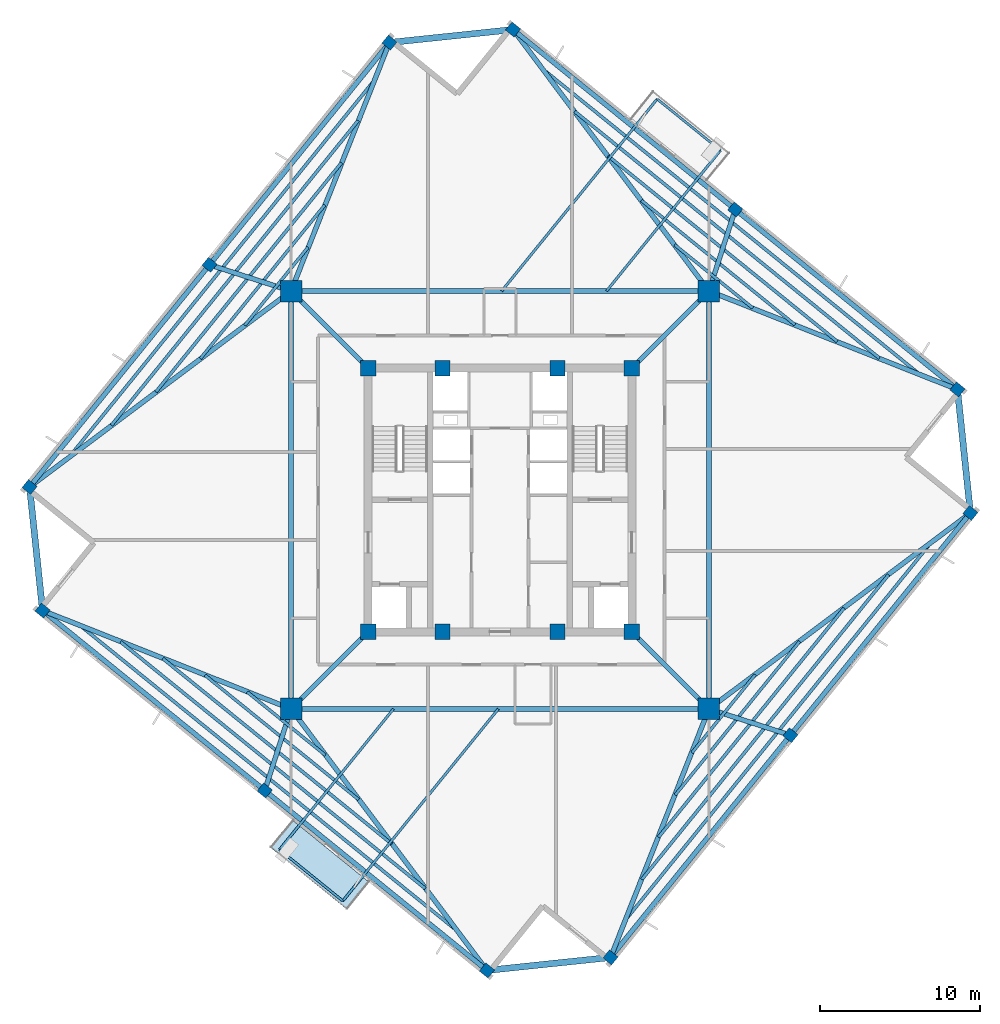
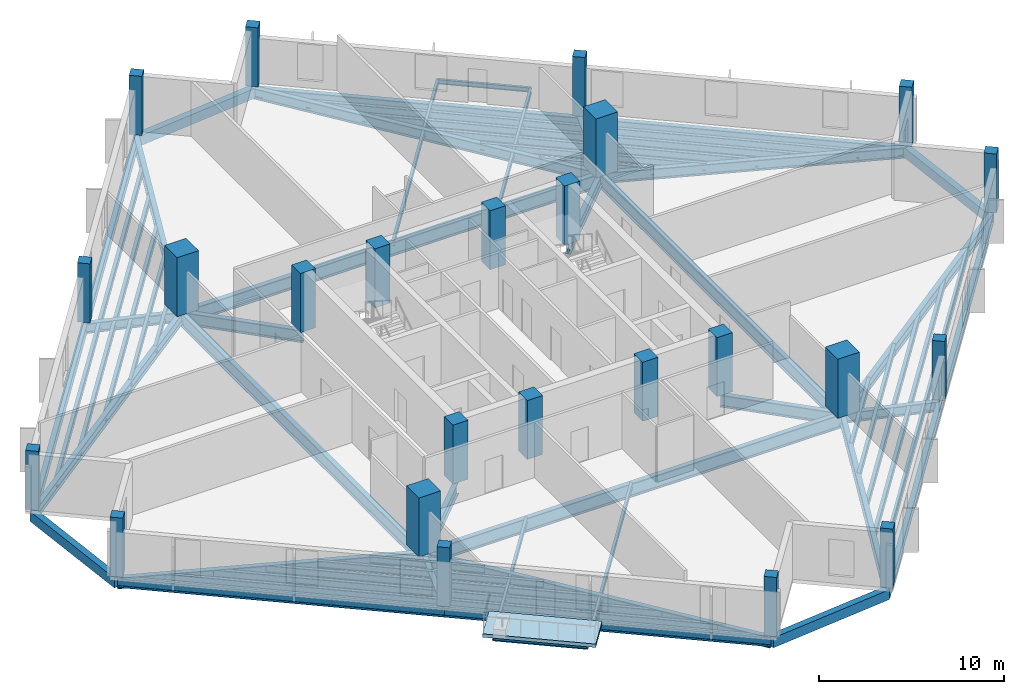
# One storey, part 1 of 10: 58 beams, 24 columns, 1 slab.
"""IFC4 building model written with IfcOpenShell, lengths in metres."""

from ifc_helpers import new_model, si_unit, direction, frame, origin, origin_2d, place, context, subcontext, project, spatial, polyline, rectangle, i_section, outline, extrude, source, transform, mapped, material, layer, layer_set, material_profile, profile_set, type_object, element, save


model = new_model("IFC4")

# Units and contexts
model_context = context("Model", 3, precision=1e-05, world=origin(), true_north=direction((0.0, 1.0)))
body_context = subcontext(model_context, "Body", "Model", "MODEL_VIEW")
ifc_project = project(units=[si_unit("LENGTHUNIT", "METRE"), si_unit("AREAUNIT", "SQUARE_METRE"), si_unit("VOLUMEUNIT", "CUBIC_METRE"), si_unit("PLANEANGLEUNIT", "RADIAN"), si_unit("MASSUNIT", "GRAM", prefix="KILO"), si_unit("THERMODYNAMICTEMPERATUREUNIT", "KELVIN")], contexts=[model_context])

# Site, building, storey
site_placement = place(None, origin())
site = spatial("IfcSite", under=ifc_project, at=site_placement, CompositionType="ELEMENT")
building_placement = place(site_placement, origin())
building = spatial("IfcBuilding", under=site, at=building_placement, Name="Kosmvard Interchange Tower", CompositionType="ELEMENT")
storey_placement = place(building_placement, frame((0.0, 0.0, 240.699951171875)))
storey = spatial("IfcBuildingStorey", under=building, at=storey_placement, Name="L58", CompositionType="ELEMENT", Elevation=240.699951171875)

# Columns
ifc_material_1 = material(Name="Concrete C60/75", Category="concrete")
ifc_material_profile_1 = material_profile(ifc_material_1, rectangle(XDim=0.949951171875, YDim=0.949951171875, at=origin_2d()), Name="CP 950x950")
ifc_profile_set_1 = profile_set([ifc_material_profile_1], Name="Concrete C60/75")
column_type_1 = type_object("IfcColumnType", Name="Core Boundary Pilaster 950x950 C60/75", PredefinedType="PILASTER", material=ifc_profile_set_1)
shared_shape_1 = source(origin(), body_context, "Body", "SweptSolid", [
    extrude(rectangle(XDim=0.949951171875, YDim=0.949951171875, at=origin_2d()), origin(), (0.0, 0.0, 1.0), 3.900146484375),
])
for number, where, z_axis, x_axis, name in (
    (1, (-8.25, -8.25, 0.0), (0.0, 0.0, 1.0), (1.0, 0.0, 0.0), "L58 Core Pilaster CP1"),
    (2, (8.25, -8.25, 0.0), (0.0, 0.0, 1.0), (1.0, 0.0, 0.0), "L58 Core Pilaster CP2"),
    (3, (8.25, 8.25, 0.0), (0.0, 0.0, 1.0), (1.0, 0.0, 0.0), "L58 Core Pilaster CP3"),
    (4, (-8.25, 8.25, 0.0), (0.0, 0.0, 1.0), (1.0, 0.0, 0.0), "L58 Core Pilaster CP4"),
    (5, (-3.60009765625, -8.25, 0.0), (0.0, 0.0, 1.0), (1.0, 0.0, 0.0), "L58 Core Pilaster CP5"),
    (6, (3.60009765625, -8.25, 0.0), (0.0, 0.0, 1.0), (1.0, 0.0, 0.0), "L58 Core Pilaster CP6"),
    (7, (-3.60009765625, 8.25, 0.0), (0.0, 0.0, 1.0), (1.0, 0.0, 0.0), "L58 Core Pilaster CP7"),
    (8, (3.60009765625, 8.25, 0.0), (0.0, 0.0, 1.0), (1.0, 0.0, 0.0), "L58 Core Pilaster CP8"),
):
    element("IfcColumn", number, at=place(storey_placement, frame(where, z_axis=z_axis, x_axis=x_axis)), inside=storey, type_object=column_type_1, Name=name, PredefinedType="PILASTER", context=body_context, shape_type="MappedRepresentation", body=[
        mapped(shared_shape_1, transform((0.0, 0.0, 0.0), scale=1.0)),
    ])
ifc_material_profile_2 = material_profile(ifc_material_1, rectangle(XDim=1.35009765625, YDim=1.35009765625, at=origin_2d()), Name="MC 1350x1350")
ifc_profile_set_2 = profile_set([ifc_material_profile_2], Name="Concrete C60/75")
column_type_2 = type_object("IfcColumnType", Name="Composite Mega-Column 1350x1350 C60/75", PredefinedType="COLUMN", material=ifc_profile_set_2)
shared_shape_2 = source(origin(), body_context, "Body", "SweptSolid", [
    extrude(rectangle(XDim=1.35009765625, YDim=1.35009765625, at=origin_2d()), origin(), (0.0, 0.0, 1.0), 3.900146484375),
])
for number, where, z_axis, x_axis, name in (
    (9, (-13.0810546875, -13.0810546875, 0.0), (0.0, 0.0, 1.0), (1.0, 0.0, 0.0), "L58 Corner Mega-Column MC1"),
    (10, (13.0810546875, -13.0810546875, 0.0), (0.0, 0.0, 1.0), (1.0, 0.0, 0.0), "L58 Corner Mega-Column MC2"),
    (11, (13.0810546875, 13.0810546875, 0.0), (0.0, 0.0, 1.0), (1.0, 0.0, 0.0), "L58 Corner Mega-Column MC3"),
    (12, (-13.0810546875, 13.0810546875, 0.0), (0.0, 0.0, 1.0), (1.0, 0.0, 0.0), "L58 Corner Mega-Column MC4"),
):
    element("IfcColumn", number, at=place(storey_placement, frame(where, z_axis=z_axis, x_axis=x_axis)), inside=storey, type_object=column_type_2, Name=name, PredefinedType="COLUMN", context=body_context, shape_type="MappedRepresentation", body=[
        mapped(shared_shape_2, transform((0.0, 0.0, 0.0), scale=1.0)),
    ])
ifc_material_2 = material(Name="Concrete C50/60", Category="concrete")
ifc_material_profile_3 = material_profile(ifc_material_2, rectangle(XDim=0.64990234375, YDim=0.699951171875, at=origin_2d()), Name="TC 700x650")
ifc_profile_set_3 = profile_set([ifc_material_profile_3], Name="Concrete C50/60")
column_type_3 = type_object("IfcColumnType", Name="Zone 4 Perimeter Pier Column 700x650 C50/60", PredefinedType="COLUMN", material=ifc_profile_set_3)
shared_shape_3 = source(origin(), body_context, "Body", "SweptSolid", [
    extrude(rectangle(XDim=0.64990234375, YDim=0.699951171875, at=origin_2d()), origin(), (0.0, 0.0, 1.0), 3.900146484375),
])
for number, where, z_axis, x_axis, name in (
    (13, (6.92041015625, -28.636962890625, 0.0), (0.0, 0.0, 1.0), (0.62932039105, 0.777145961457, 0.0), "L58 Perimeter Pier Column TC-S1"),
    (14, (18.185302734375, -14.72607421875, 0.0), (0.0, 0.0, 1.0), (0.62932039105, 0.777145961457, 0.0), "L58 Perimeter Pier Column TC-S2"),
    (15, (29.449951171875, -0.815185546875, 0.0), (0.0, 0.0, 1.0), (0.62932039105, 0.777145961457, 0.0), "L58 Perimeter Pier Column TC-S3"),
    (16, (28.636962890625, 6.92041015625, 0.0), (0.0, 0.0, 1.0), (0.62932039105, 0.777145961457, 0.0), "L58 Perimeter Pier Column TC-E1"),
    (17, (14.72607421875, 18.185302734375, 0.0), (0.0, 0.0, 1.0), (0.62932039105, 0.777145961457, 0.0), "L58 Perimeter Pier Column TC-E2"),
    (18, (0.815185546875, 29.449951171875, 0.0), (0.0, 0.0, 1.0), (0.62932039105, 0.777145961457, 0.0), "L58 Perimeter Pier Column TC-E3"),
    (19, (-6.92041015625, 28.636962890625, 0.0), (0.0, 0.0, 1.0), (0.62932039105, 0.777145961457, 0.0), "L58 Perimeter Pier Column TC-N1"),
    (20, (-18.185302734375, 14.72607421875, 0.0), (0.0, 0.0, 1.0), (0.62932039105, 0.777145961457, 0.0), "L58 Perimeter Pier Column TC-N2"),
    (21, (-29.449951171875, 0.815185546875, 0.0), (0.0, 0.0, 1.0), (0.62932039105, 0.777145961457, 0.0), "L58 Perimeter Pier Column TC-N3"),
    (22, (-28.636962890625, -6.92041015625, 0.0), (0.0, 0.0, 1.0), (0.62932039105, 0.777145961457, 0.0), "L58 Perimeter Pier Column TC-W1"),
    (23, (-14.72607421875, -18.185302734375, 0.0), (0.0, 0.0, 1.0), (0.62932039105, 0.777145961457, 0.0), "L58 Perimeter Pier Column TC-W2"),
    (24, (-0.815185546875, -29.449951171875, 0.0), (0.0, 0.0, 1.0), (0.62932039105, 0.777145961457, 0.0), "L58 Perimeter Pier Column TC-W3"),
):
    element("IfcColumn", number, at=place(storey_placement, frame(where, z_axis=z_axis, x_axis=x_axis)), inside=storey, type_object=column_type_3, Name=name, PredefinedType="COLUMN", context=body_context, shape_type="MappedRepresentation", body=[
        mapped(shared_shape_3, transform((0.0, 0.0, 0.0), scale=1.0)),
    ])

# Beams
ifc_material_3 = material(Name="Steel S355", Category="steel")
ifc_material_profile_4 = material_profile(ifc_material_3, i_section(OverallWidth=0.14990234375, OverallDepth=0.300048828125, WebThickness=0.007080078125, FlangeThickness=0.0107421875, FilletRadius=0.014892578125, at=origin_2d()), Name="IPE 300")
ifc_profile_set_4 = profile_set([ifc_material_profile_4], Name="Steel S355")
beam_type_1 = type_object("IfcBeamType", Name="Balcony Edge Header Joist IPE 300 S355", PredefinedType="JOIST", material=ifc_profile_set_4)
shared_shape_4 = source(origin(), body_context, "Body", "SweptSolid", [
    extrude(i_section(OverallWidth=0.14990234375, OverallDepth=0.300048828125, WebThickness=0.007080078125, FlangeThickness=0.0107421875, FilletRadius=0.014892578125, at=origin_2d()), origin(), (0.0, 0.0, 1.0), 5.099853515625),
])
for number, where, z_axis, x_axis, name in (
    (25, (13.80322265625, 21.89208984375, -0.389892578125), (-0.777146757369, 0.629319408179, 0.0), (-0.629319408179, -0.777146757369, 0.0), "BM-L58-BJH1"),
    (26, (-13.80322265625, -21.89208984375, -0.389892578125), (0.777146757369, -0.629319408179, 0.0), (0.629319408179, 0.777146757369, 0.0), "BM-L58-BJH2"),
):
    element("IfcBeam", number, at=place(storey_placement, frame(where, z_axis=z_axis, x_axis=x_axis)), inside=storey, type_object=beam_type_1, Name=name, PredefinedType="JOIST", context=body_context, shape_type="MappedRepresentation", body=[
        mapped(shared_shape_4, transform((0.0, 0.0, 0.0), scale=1.0)),
    ])
ifc_material_profile_5 = material_profile(ifc_material_3, i_section(OverallWidth=0.300048828125, OverallDepth=0.800048828125, WebThickness=0.017578125, FlangeThickness=0.032958984375, FilletRadius=0.027099609375, at=origin_2d()), Name="HEB 800")
ifc_profile_set_5 = profile_set([ifc_material_profile_5], Name="Steel S355")
beam_type_2 = type_object("IfcBeamType", Name="Primary Mega-Frame Girder HEB 800 S355", PredefinedType="BEAM", material=ifc_profile_set_5)
shared_shape_5 = source(origin(), body_context, "Body", "SweptSolid", [
    extrude(i_section(OverallWidth=0.300048828125, OverallDepth=0.800048828125, WebThickness=0.017578125, FlangeThickness=0.032958984375, FilletRadius=0.027099609375, at=origin_2d()), origin(), (0.0, 0.0, 1.0), 6.83203125),
])
for number, where, z_axis, x_axis, name in (
    (27, (-8.25, -8.25, -0.639892578125), (-0.707106781187, -0.707106781187, 0.0), (0.707106781187, -0.707106781187, 0.0), "L58 Radial Mega-Frame Girder 1"),
    (28, (8.25, -8.25, -0.639892578125), (0.707106781187, -0.707106781187, 0.0), (0.707106781187, 0.707106781187, 0.0), "L58 Radial Mega-Frame Girder 2"),
    (29, (8.25, 8.25, -0.639892578125), (0.707106781187, 0.707106781187, 0.0), (-0.707106781187, 0.707106781187, 0.0), "L58 Radial Mega-Frame Girder 3"),
    (30, (-8.25, 8.25, -0.639892578125), (-0.707106781187, 0.707106781187, 0.0), (-0.707106781187, -0.707106781187, 0.0), "L58 Radial Mega-Frame Girder 4"),
):
    element("IfcBeam", number, at=place(storey_placement, frame(where, z_axis=z_axis, x_axis=x_axis)), inside=storey, type_object=beam_type_2, Name=name, PredefinedType="BEAM", context=body_context, shape_type="MappedRepresentation", body=[
        mapped(shared_shape_5, transform((0.0, 0.0, 0.0), scale=1.0)),
    ])
ifc_material_profile_6 = material_profile(ifc_material_3, i_section(OverallWidth=0.300048828125, OverallDepth=0.89990234375, WebThickness=0.0185546875, FlangeThickness=0.034912109375, FilletRadius=0.030029296875, at=origin_2d()), Name="HEB 900")
ifc_profile_set_6 = profile_set([ifc_material_profile_6], Name="Steel S355")
beam_type_3 = type_object("IfcBeamType", Name="Mega-Column Ring Girder HEB 900 S355", PredefinedType="BEAM", material=ifc_profile_set_6)
shared_shape_6 = source(origin(), body_context, "Body", "SweptSolid", [
    extrude(i_section(OverallWidth=0.300048828125, OverallDepth=0.89990234375, WebThickness=0.0185546875, FlangeThickness=0.034912109375, FilletRadius=0.030029296875, at=origin_2d()), origin(), (0.0, 0.0, 1.0), 26.162109375),
])
for number, where, z_axis, x_axis, name in (
    (31, (-13.0810546875, -13.0810546875, -0.68994140625), (1.0, 0.0, 0.0), (0.0, 1.0, 0.0), "L58 Mega-Column Ring Girder 1"),
    (32, (13.0810546875, -13.0810546875, -0.68994140625), (0.0, 1.0, 0.0), (-1.0, 0.0, 0.0), "L58 Mega-Column Ring Girder 2"),
    (33, (13.0810546875, 13.0810546875, -0.68994140625), (-1.0, 0.0, 0.0), (0.0, -1.0, 0.0), "L58 Mega-Column Ring Girder 3"),
    (34, (-13.0810546875, 13.0810546875, -0.68994140625), (0.0, -1.0, 0.0), (1.0, 0.0, 0.0), "L58 Mega-Column Ring Girder 4"),
):
    element("IfcBeam", number, at=place(storey_placement, frame(where, z_axis=z_axis, x_axis=x_axis)), inside=storey, type_object=beam_type_3, Name=name, PredefinedType="BEAM", context=body_context, shape_type="MappedRepresentation", body=[
        mapped(shared_shape_6, transform((0.0, 0.0, 0.0), scale=1.0)),
    ])
ifc_material_profile_7 = material_profile(ifc_material_3, i_section(OverallWidth=0.300048828125, OverallDepth=0.60009765625, WebThickness=0.015380859375, FlangeThickness=0.030029296875, FilletRadius=0.027099609375, at=origin_2d()), Name="HEB 600")
ifc_profile_set_7 = profile_set([ifc_material_profile_7], Name="Steel S355")
beam_type_4 = type_object("IfcBeamType", Name="Perimeter Tie Girder HEB 600 S355", PredefinedType="BEAM", material=ifc_profile_set_7)
shared_shape_7 = source(origin(), body_context, "Body", "SweptSolid", [
    extrude(i_section(OverallWidth=0.300048828125, OverallDepth=0.60009765625, WebThickness=0.015380859375, FlangeThickness=0.030029296875, FilletRadius=0.027099609375, at=origin_2d()), origin(), (0.0, 0.0, 1.0), 17.89990234375),
])
for number, where, z_axis, x_axis, name in (
    (35, (6.92041015625, -28.636962890625, -0.5400390625), (0.629322990554, 0.777143856413, 0.0), (-0.777143856413, 0.629322990554, 0.0), "BM-L58-PR01"),
    (36, (18.185302734375, -14.72607421875, -0.5400390625), (0.629314753061, 0.777150526976, 0.0), (-0.777150526976, 0.629314753061, 0.0), "BM-L58-PR02"),
    (37, (28.636962890625, 6.92041015625, -0.5400390625), (-0.777143856413, 0.629322990554, 0.0), (-0.629322990554, -0.777143856413, 0.0), "BM-L58-PR04"),
    (38, (14.72607421875, 18.185302734375, -0.5400390625), (-0.777150526976, 0.629314753061, 0.0), (-0.629314753061, -0.777150526976, 0.0), "BM-L58-PR05"),
    (39, (-6.92041015625, 28.636962890625, -0.5400390625), (-0.629322990554, -0.777143856413, 0.0), (0.777143856413, -0.629322990554, 0.0), "BM-L58-PR07"),
    (40, (-18.185302734375, 14.72607421875, -0.5400390625), (-0.629314753061, -0.777150526976, 0.0), (0.777150526976, -0.629314753061, 0.0), "BM-L58-PR08"),
    (41, (-28.636962890625, -6.92041015625, -0.5400390625), (0.777143856413, -0.629322990554, 0.0), (0.629322990554, 0.777143856413, 0.0), "BM-L58-PR10"),
    (42, (-14.72607421875, -18.185302734375, -0.5400390625), (0.777150526976, -0.629314753061, 0.0), (0.629314753061, 0.777150526976, 0.0), "BM-L58-PR11"),
):
    element("IfcBeam", number, at=place(storey_placement, frame(where, z_axis=z_axis, x_axis=x_axis)), inside=storey, type_object=beam_type_4, Name=name, PredefinedType="BEAM", context=body_context, shape_type="MappedRepresentation", body=[
        mapped(shared_shape_7, transform((0.0, 0.0, 0.0), scale=1.0)),
    ])
ifc_material_profile_8 = material_profile(ifc_material_3, i_section(OverallWidth=0.300048828125, OverallDepth=0.699951171875, WebThickness=0.01708984375, FlangeThickness=0.031982421875, FilletRadius=0.027099609375, at=origin_2d()), Name="HEB 700")
ifc_profile_set_8 = profile_set([ifc_material_profile_8], Name="Steel S355")
beam_type_5 = type_object("IfcBeamType", Name="Primary Floor Girder HEB 700 S355", PredefinedType="BEAM", material=ifc_profile_set_8)
shared_shape_8 = source(origin(), body_context, "Body", "SweptSolid", [
    extrude(i_section(OverallWidth=0.300048828125, OverallDepth=0.699951171875, WebThickness=0.01708984375, FlangeThickness=0.031982421875, FilletRadius=0.027099609375, at=origin_2d()), origin(), (0.0, 0.0, 1.0), 16.7314453125),
])
for number, where, z_axis, x_axis, name in (
    (43, (13.0810546875, -13.0810546875, -0.58984375), (-0.368208500474, -0.929743244223, 0.0), (0.929743244223, -0.368208500474, 0.0), "BM-L58-RD01"),
    (44, (13.0810546875, 13.0810546875, -0.58984375), (0.929743244223, -0.368208500474, 0.0), (0.368208500474, 0.929743244223, 0.0), "BM-L58-RD04"),
    (45, (-13.0810546875, 13.0810546875, -0.58984375), (0.368208500474, 0.929743244223, 0.0), (-0.929743244223, 0.368208500474, 0.0), "BM-L58-RD07"),
    (46, (-13.0810546875, -13.0810546875, -0.58984375), (-0.929743244223, 0.368208500474, 0.0), (-0.368208500474, -0.929743244223, 0.0), "BM-L58-RD10"),
):
    element("IfcBeam", number, at=place(storey_placement, frame(where, z_axis=z_axis, x_axis=x_axis)), inside=storey, type_object=beam_type_5, Name=name, PredefinedType="BEAM", context=body_context, shape_type="MappedRepresentation", body=[
        mapped(shared_shape_8, transform((0.0, 0.0, 0.0), scale=1.0)),
    ])
ifc_material_profile_9 = material_profile(ifc_material_3, i_section(OverallWidth=0.300048828125, OverallDepth=0.64990234375, WebThickness=0.01611328125, FlangeThickness=0.031005859375, FilletRadius=0.027099609375, at=origin_2d()), Name="HEB 650")
ifc_profile_set_9 = profile_set([ifc_material_profile_9], Name="Steel S355")
beam_type_6 = type_object("IfcBeamType", Name="Primary Floor Girder HEB 650 S355", PredefinedType="BEAM", material=ifc_profile_set_9)
shared_shape_9 = source(origin(), body_context, "Body", "SweptSolid", [
    extrude(i_section(OverallWidth=0.300048828125, OverallDepth=0.64990234375, WebThickness=0.01611328125, FlangeThickness=0.031005859375, FilletRadius=0.027099609375, at=origin_2d()), origin(), (0.0, 0.0, 1.0), 5.36279296875),
])
for number, where, z_axis, x_axis, name in (
    (47, (13.0810546875, -13.0810546875, -0.56494140625), (0.951790966135, -0.306747382686, 0.0), (0.306747382686, 0.951790966135, 0.0), "BM-L58-RD02"),
    (48, (13.0810546875, 13.0810546875, -0.56494140625), (0.306747382686, 0.951790966135, 0.0), (-0.951790966135, 0.306747382686, 0.0), "BM-L58-RD05"),
    (49, (-13.0810546875, 13.0810546875, -0.56494140625), (-0.951790966135, 0.306747382686, 0.0), (-0.306747382686, -0.951790966135, 0.0), "BM-L58-RD08"),
    (50, (-13.0810546875, -13.0810546875, -0.56494140625), (-0.306747382686, -0.951790966135, 0.0), (0.951790966135, -0.306747382686, 0.0), "BM-L58-RD11"),
):
    element("IfcBeam", number, at=place(storey_placement, frame(where, z_axis=z_axis, x_axis=x_axis)), inside=storey, type_object=beam_type_6, Name=name, PredefinedType="BEAM", context=body_context, shape_type="MappedRepresentation", body=[
        mapped(shared_shape_9, transform((0.0, 0.0, 0.0), scale=1.0)),
    ])
ifc_material_4 = material(Name="Precast concrete C45/55", Category="concrete")
ifc_material_profile_10 = material_profile(ifc_material_4, rectangle(XDim=0.39990234375, YDim=0.64990234375, at=origin_2d()), Name="SL 400x650")
ifc_profile_set_10 = profile_set([ifc_material_profile_10], Name="Precast concrete C45/55")
beam_type_7 = type_object("IfcBeamType", Name="Precast Spandrel Lintel 400x650 C45/55", PredefinedType="LINTEL", material=ifc_profile_set_10)
shared_shape_10 = source(origin(), body_context, "Body", "SweptSolid", [
    extrude(rectangle(XDim=0.39990234375, YDim=0.64990234375, at=origin_2d()), origin(), (0.0, 0.0, 1.0), 7.7783203125),
])
for number, where, z_axis, x_axis, name in (
    (51, (29.449951171875, -0.815185546875, -0.56494140625), (-0.104521394525, 0.994522638298, 0.0), (-0.994522638298, -0.104521394525, 0.0), "BM-L58-SL1"),
    (52, (0.815185546875, 29.449951171875, -0.56494140625), (-0.994522638298, -0.104521394525, 0.0), (0.104521394525, -0.994522638298, 0.0), "BM-L58-SL2"),
    (53, (-29.449951171875, 0.815185546875, -0.56494140625), (0.104521394525, -0.994522638298, 0.0), (0.994522638298, 0.104521394525, 0.0), "BM-L58-SL3"),
    (54, (-0.815185546875, -29.449951171875, -0.56494140625), (0.994522638298, 0.104521394525, 0.0), (-0.104521394525, 0.994522638298, 0.0), "BM-L58-SL4"),
):
    element("IfcBeam", number, at=place(storey_placement, frame(where, z_axis=z_axis, x_axis=x_axis)), inside=storey, type_object=beam_type_7, Name=name, PredefinedType="LINTEL", context=body_context, shape_type="MappedRepresentation", body=[
        mapped(shared_shape_10, transform((0.0, 0.0, 0.0), scale=1.0)),
    ])
shared_shape_11 = source(origin(), body_context, "Body", "SweptSolid", [
    extrude(i_section(OverallWidth=0.300048828125, OverallDepth=0.699951171875, WebThickness=0.01708984375, FlangeThickness=0.031982421875, FilletRadius=0.027099609375, at=origin_2d()), origin(), (0.0, 0.0, 1.0), 20.45458984375),
])
for number, where, z_axis, x_axis, name in (
    (55, (13.0810546875, -13.0810546875, -0.58984375), (0.800253443036, 0.599661927179, 0.0), (-0.599661927179, 0.800253443036, 0.0), "BM-L58-RD03"),
    (56, (13.0810546875, 13.0810546875, -0.58984375), (-0.599661927179, 0.800253443036, 0.0), (-0.800253443036, -0.599661927179, 0.0), "BM-L58-RD06"),
    (57, (-13.0810546875, 13.0810546875, -0.58984375), (-0.800253443036, -0.599661927179, 0.0), (0.599661927179, -0.800253443036, 0.0), "BM-L58-RD09"),
    (58, (-13.0810546875, -13.0810546875, -0.58984375), (0.599661927179, -0.800253443036, 0.0), (0.800253443036, 0.599661927179, 0.0), "BM-L58-RD12"),
):
    element("IfcBeam", number, at=place(storey_placement, frame(where, z_axis=z_axis, x_axis=x_axis)), inside=storey, type_object=beam_type_5, Name=name, PredefinedType="BEAM", context=body_context, shape_type="MappedRepresentation", body=[
        mapped(shared_shape_11, transform((0.0, 0.0, 0.0), scale=1.0)),
    ])
ifc_material_profile_11 = material_profile(ifc_material_3, i_section(OverallWidth=0.18994140625, OverallDepth=0.449951171875, WebThickness=0.009521484375, FlangeThickness=0.0146484375, FilletRadius=0.02099609375, at=origin_2d()), Name="IPE 450")
ifc_profile_set_11 = profile_set([ifc_material_profile_11], Name="Steel S355")
beam_type_8 = type_object("IfcBeamType", Name="Mid-Rise Floor Joist IPE 450 S355", PredefinedType="JOIST", material=ifc_profile_set_11)
shared_shape_12 = source(origin(), body_context, "Body", "SweptSolid", [
    extrude(i_section(OverallWidth=0.18994140625, OverallDepth=0.449951171875, WebThickness=0.009521484375, FlangeThickness=0.0146484375, FilletRadius=0.02099609375, at=origin_2d()), origin(), (0.0, 0.0, 1.0), 6.283935546875),
])
for number, where, z_axis, x_axis, name in (
    (59, (12.0224609375, -15.81884765625, -0.46484375), (0.629317809561, 0.777148051898, 0.0), (-0.777148051898, 0.629317809561, 0.0), "BM-L58-FJ01"),
    (60, (15.81884765625, 12.0224609375, -0.46484375), (-0.777148051898, 0.629317809561, 0.0), (-0.629317809561, -0.777148051898, 0.0), "BM-L58-FJ06"),
    (61, (-12.0224609375, 15.81884765625, -0.46484375), (-0.629317809561, -0.777148051898, 0.0), (0.777148051898, -0.629317809561, 0.0), "BM-L58-FJ11"),
    (62, (-15.81884765625, -12.0224609375, -0.46484375), (0.777148051898, -0.629317809561, 0.0), (0.629317809561, 0.777148051898, 0.0), "BM-L58-FJ16"),
):
    element("IfcBeam", number, at=place(storey_placement, frame(where, z_axis=z_axis, x_axis=x_axis)), inside=storey, type_object=beam_type_8, Name=name, PredefinedType="JOIST", context=body_context, shape_type="MappedRepresentation", body=[
        mapped(shared_shape_12, transform((0.0, 0.0, 0.0), scale=1.0)),
    ])
shared_shape_13 = source(origin(), body_context, "Body", "SweptSolid", [
    extrude(i_section(OverallWidth=0.18994140625, OverallDepth=0.449951171875, WebThickness=0.009521484375, FlangeThickness=0.0146484375, FilletRadius=0.02099609375, at=origin_2d()), origin(), (0.0, 0.0, 1.0), 12.369873046875),
])
for number, where, z_axis, x_axis, name in (
    (63, (10.97509765625, -18.46337890625, -0.46484375), (0.629319722443, 0.777146502883, 0.0), (-0.777146502883, 0.629319722443, 0.0), "BM-L58-FJ02"),
    (64, (18.46337890625, 10.97509765625, -0.46484375), (-0.777146502883, 0.629319722443, 0.0), (-0.629319722443, -0.777146502883, 0.0), "BM-L58-FJ07"),
    (65, (-10.97509765625, 18.46337890625, -0.46484375), (-0.629319722443, -0.777146502883, 0.0), (0.777146502883, -0.629319722443, 0.0), "BM-L58-FJ12"),
    (66, (-18.46337890625, -10.97509765625, -0.46484375), (0.777146502883, -0.629319722443, 0.0), (0.629319722443, 0.777146502883, 0.0), "BM-L58-FJ17"),
):
    element("IfcBeam", number, at=place(storey_placement, frame(where, z_axis=z_axis, x_axis=x_axis)), inside=storey, type_object=beam_type_8, Name=name, PredefinedType="JOIST", context=body_context, shape_type="MappedRepresentation", body=[
        mapped(shared_shape_13, transform((0.0, 0.0, 0.0), scale=1.0)),
    ])
ifc_material_profile_12 = material_profile(ifc_material_3, i_section(OverallWidth=0.199951171875, OverallDepth=0.5, WebThickness=0.01025390625, FlangeThickness=0.01611328125, FilletRadius=0.02099609375, at=origin_2d()), Name="IPE 500")
ifc_profile_set_12 = profile_set([ifc_material_profile_12], Name="Steel S355")
beam_type_9 = type_object("IfcBeamType", Name="Standard Floor Joist IPE 500 S355", PredefinedType="JOIST", material=ifc_profile_set_12)
shared_shape_14 = source(origin(), body_context, "Body", "SweptSolid", [
    extrude(i_section(OverallWidth=0.199951171875, OverallDepth=0.5, WebThickness=0.01025390625, FlangeThickness=0.01611328125, FilletRadius=0.02099609375, at=origin_2d()), origin(), (0.0, 0.0, 1.0), 18.4560546875),
])
for number, where, z_axis, x_axis, name in (
    (67, (9.927734375, -21.10791015625, -0.489990234375), (0.629320373744, 0.777145975471, 0.0), (-0.777145975471, 0.629320373744, 0.0), "BM-L58-FJ03"),
    (68, (21.10791015625, 9.927734375, -0.489990234375), (-0.777145975471, 0.629320373744, 0.0), (-0.629320373744, -0.777145975471, 0.0), "BM-L58-FJ08"),
    (69, (-9.927734375, 21.10791015625, -0.489990234375), (-0.629320373744, -0.777145975471, 0.0), (0.777145975471, -0.629320373744, 0.0), "BM-L58-FJ13"),
    (70, (-21.10791015625, -9.927734375, -0.489990234375), (0.777145975471, -0.629320373744, 0.0), (0.629320373744, 0.777145975471, 0.0), "BM-L58-FJ18"),
):
    element("IfcBeam", number, at=place(storey_placement, frame(where, z_axis=z_axis, x_axis=x_axis)), inside=storey, type_object=beam_type_9, Name=name, PredefinedType="JOIST", context=body_context, shape_type="MappedRepresentation", body=[
        mapped(shared_shape_14, transform((0.0, 0.0, 0.0), scale=1.0)),
    ])
shared_shape_15 = source(origin(), body_context, "Body", "SweptSolid", [
    extrude(i_section(OverallWidth=0.199951171875, OverallDepth=0.5, WebThickness=0.01025390625, FlangeThickness=0.01611328125, FilletRadius=0.02099609375, at=origin_2d()), origin(), (0.0, 0.0, 1.0), 24.5419921875),
])
for number, where, z_axis, x_axis, name in (
    (71, (8.880615234375, -23.75244140625, -0.489990234375), (0.629314693907, 0.777150574878, 0.0), (-0.777150574878, 0.629314693907, 0.0), "BM-L58-FJ04"),
    (72, (23.75244140625, 8.880615234375, -0.489990234375), (-0.777150574878, 0.629314693907, 0.0), (-0.629314693907, -0.777150574878, 0.0), "BM-L58-FJ09"),
    (73, (-8.880615234375, 23.75244140625, -0.489990234375), (-0.629314693907, -0.777150574878, 0.0), (0.777150574878, -0.629314693907, 0.0), "BM-L58-FJ14"),
    (74, (-23.75244140625, -8.880615234375, -0.489990234375), (0.777150574878, -0.629314693907, 0.0), (0.629314693907, 0.777150574878, 0.0), "BM-L58-FJ19"),
):
    element("IfcBeam", number, at=place(storey_placement, frame(where, z_axis=z_axis, x_axis=x_axis)), inside=storey, type_object=beam_type_9, Name=name, PredefinedType="JOIST", context=body_context, shape_type="MappedRepresentation", body=[
        mapped(shared_shape_15, transform((0.0, 0.0, 0.0), scale=1.0)),
    ])
shared_shape_16 = source(origin(), body_context, "Body", "SweptSolid", [
    extrude(i_section(OverallWidth=0.199951171875, OverallDepth=0.5, WebThickness=0.01025390625, FlangeThickness=0.01611328125, FilletRadius=0.02099609375, at=origin_2d()), origin(), (0.0, 0.0, 1.0), 30.27001953125),
])
for number, where, z_axis, x_axis, name in (
    (75, (7.894775390625, -26.241455078125, -0.489990234375), (0.629321655027, 0.777144937907, 0.0), (-0.777144937907, 0.629321655027, 0.0), "BM-L58-FJ05"),
    (76, (26.241455078125, 7.894775390625, -0.489990234375), (-0.777144937907, 0.629321655027, 0.0), (-0.629321655027, -0.777144937907, 0.0), "BM-L58-FJ10"),
    (77, (-7.894775390625, 26.241455078125, -0.489990234375), (-0.629321655027, -0.777144937907, 0.0), (0.777144937907, -0.629321655027, 0.0), "BM-L58-FJ15"),
    (78, (-26.241455078125, -7.894775390625, -0.489990234375), (0.777144937907, -0.629321655027, 0.0), (0.629321655027, 0.777144937907, 0.0), "BM-L58-FJ20"),
):
    element("IfcBeam", number, at=place(storey_placement, frame(where, z_axis=z_axis, x_axis=x_axis)), inside=storey, type_object=beam_type_9, Name=name, PredefinedType="JOIST", context=body_context, shape_type="MappedRepresentation", body=[
        mapped(shared_shape_16, transform((0.0, 0.0, 0.0), scale=1.0)),
    ])
ifc_material_profile_13 = material_profile(ifc_material_3, i_section(OverallWidth=0.159912109375, OverallDepth=0.330078125, WebThickness=0.007568359375, FlangeThickness=0.011474609375, FilletRadius=0.01806640625, at=origin_2d()), Name="IPE 330")
ifc_profile_set_13 = profile_set([ifc_material_profile_13], Name="Steel S355")
beam_type_10 = type_object("IfcBeamType", Name="Balcony Cantilever Joist IPE 330 S355", PredefinedType="JOIST", material=ifc_profile_set_13)
shared_shape_17 = source(origin(), body_context, "Body", "SweptSolid", [
    extrude(i_section(OverallWidth=0.159912109375, OverallDepth=0.330078125, WebThickness=0.007568359375, FlangeThickness=0.011474609375, FilletRadius=0.01806640625, at=origin_2d()), origin(), (0.0, 0.0, 1.0), 11.337646484375),
])
for number, where, z_axis, x_axis, name in (
    (79, (6.668212890625, 13.0810546875, -0.405029296875), (0.629319015631, 0.777147075247, 0.0), (-0.777147075247, 0.629319015631, 0.0), "BM-L58-BJ1"),
    (80, (-6.668212890625, -13.0810546875, -0.405029296875), (-0.629319015631, -0.777147075247, 0.0), (0.777147075247, -0.629319015631, 0.0), "BM-L58-BJ2"),
):
    element("IfcBeam", number, at=place(storey_placement, frame(where, z_axis=z_axis, x_axis=x_axis)), inside=storey, type_object=beam_type_10, Name=name, PredefinedType="JOIST", context=body_context, shape_type="MappedRepresentation", body=[
        mapped(shared_shape_17, transform((0.0, 0.0, 0.0), scale=1.0)),
    ])
shared_shape_18 = source(origin(), body_context, "Body", "SweptSolid", [
    extrude(i_section(OverallWidth=0.159912109375, OverallDepth=0.330078125, WebThickness=0.007568359375, FlangeThickness=0.011474609375, FilletRadius=0.01806640625, at=origin_2d()), origin(), (0.0, 0.0, 1.0), 15.467529296875),
])
for number, where, z_axis, x_axis, name in (
    (81, (0.105712890625, 13.0810546875, -0.405029296875), (0.629324903336, 0.777142307458, 0.0), (-0.777142307458, 0.629324903336, 0.0), "BM-L58-BJB1"),
    (82, (-0.105712890625, -13.0810546875, -0.405029296875), (-0.629324903336, -0.777142307458, 0.0), (0.777142307458, -0.629324903336, 0.0), "BM-L58-BJB2"),
):
    element("IfcBeam", number, at=place(storey_placement, frame(where, z_axis=z_axis, x_axis=x_axis)), inside=storey, type_object=beam_type_10, Name=name, PredefinedType="JOIST", context=body_context, shape_type="MappedRepresentation", body=[
        mapped(shared_shape_18, transform((0.0, 0.0, 0.0), scale=1.0)),
    ])

# Slab
ifc_layer = layer(ifc_material_2, 0.22998046875, Name="Concrete C50/60")
ifc_layer_set = layer_set([ifc_layer], Name="Concrete C50/60")
slab_type = type_object("IfcSlabType", Name="Tree-Planter Cantilever Balcony Slab 230 C50/60", PredefinedType="FLOOR", material=ifc_layer_set)
slab_placement = place(storey_placement, frame((0.0, 0.0, -0.22998046875)))
element("IfcSlab", 83, at=slab_placement, inside=storey, type_object=slab_type, Name="L58 Outdoor Terrace Balcony Slab BAL-L58-W", PredefinedType="FLOOR", context=body_context, shape_type="SweptSolid", body=[
    extrude(outline(polyline([(-9.569580078125, -25.64208984375), (-8.185302734375, -23.932373046875), (-13.00341796875, -20.030517578125), (-14.387939453125, -21.740234375), (-9.569580078125, -25.64208984375)])), origin(), (0.0, 0.0, 1.0), 0.22998046875),
])

save(model, "model.ifc")
